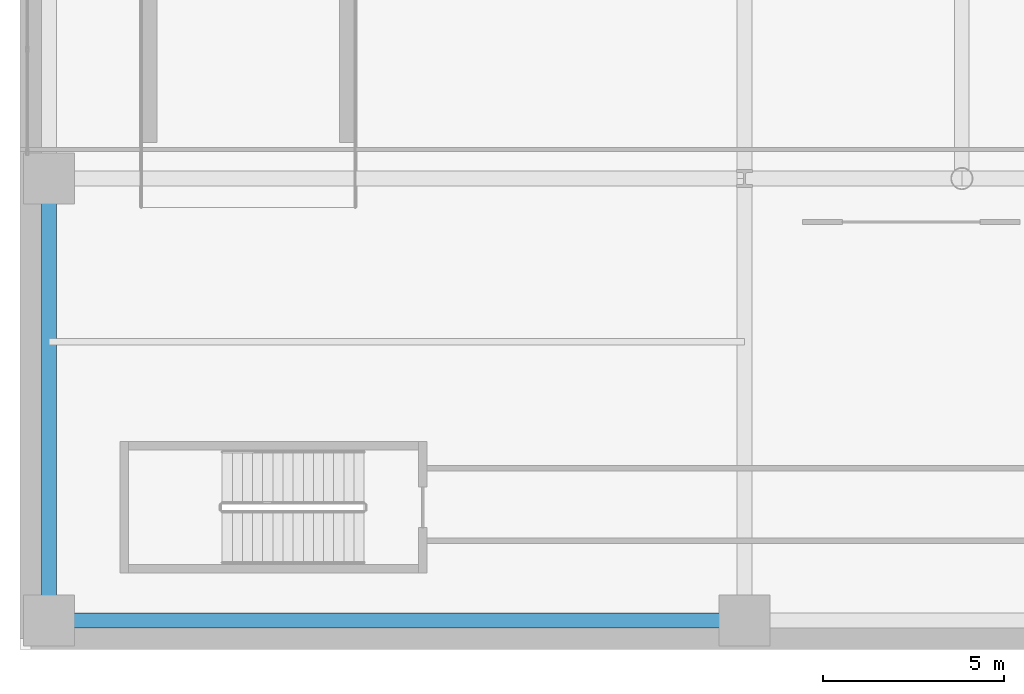
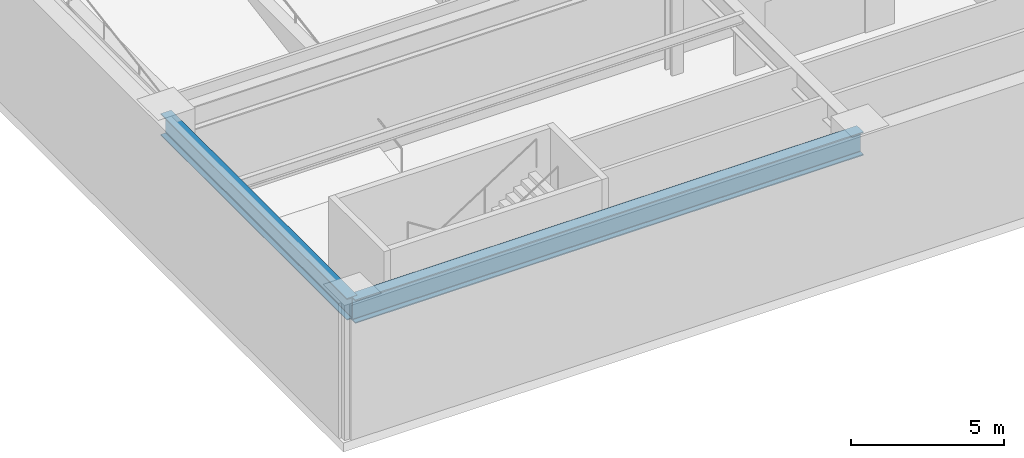
# One storey, part 4 of 25: 2 beams.
"""IFC4 building model written with IfcOpenShell, lengths in metres."""

from ifc_helpers import new_model, si_unit, direction, frame, origin, origin_2d, place, context, subcontext, project, spatial, i_section, extrude, material, material_profile, profile_set, type_object, element, save


model = new_model("IFC4")

# Units and contexts
model_context = context("Model", 3, precision=1e-05, world=origin(), true_north=direction((0.0, 1.0)))
body_context = subcontext(model_context, "Body", "Model", "MODEL_VIEW")
ifc_project = project(units=[si_unit("LENGTHUNIT", "METRE"), si_unit("AREAUNIT", "SQUARE_METRE"), si_unit("VOLUMEUNIT", "CUBIC_METRE"), si_unit("PLANEANGLEUNIT", "RADIAN"), si_unit("MASSUNIT", "GRAM", prefix="KILO")], contexts=[model_context])

# Site, building, storey
site_placement = place(None, origin())
site = spatial("IfcSite", under=ifc_project, at=site_placement, CompositionType="ELEMENT")
building_placement = place(site_placement, origin())
building = spatial("IfcBuilding", under=site, at=building_placement, Name="Soratama Intermodal Tower", CompositionType="ELEMENT")
storey_placement = place(building_placement, frame((0.0, 0.0, -5.39990234375)))
storey = spatial("IfcBuildingStorey", under=building, at=storey_placement, Name="B1", CompositionType="ELEMENT", Elevation=-5.39990234375)

# Beams
ifc_material_1 = material(Name="Structural steel ASTM A992 Grade 50", Category="steel")
ifc_material_profile_1 = material_profile(ifc_material_1, i_section(OverallWidth=0.403076171875, OverallDepth=0.867919921875, WebThickness=0.02099609375, FlangeThickness=0.03564453125, FilletRadius=0.01806640625, at=origin_2d()), Name="W33X241")
ifc_profile_set_1 = profile_set([ifc_material_profile_1], Name="Structural steel ASTM A992 Grade 50")
beam_type_1 = type_object("IfcBeamType", Name="BM-POD-EXT-W33", PredefinedType="BEAM", material=ifc_profile_set_1)
beam_1_placement = place(storey_placement, frame((0.800048828125, 2.800048828125, 4.64599609375), z_axis=(0.0, 1.0, 0.0), x_axis=(-1.0, 0.0, 0.0)))
element("IfcBeam", 1, at=beam_1_placement, inside=storey, type_object=beam_type_1, Name="B1 Station Girder Y1-1", PredefinedType="BEAM", context=body_context, shape_type="SweptSolid", body=[
    extrude(i_section(OverallWidth=0.403076171875, OverallDepth=0.867919921875, WebThickness=0.02099609375, FlangeThickness=0.03564453125, FilletRadius=0.01806640625, at=origin_2d()), origin(), (0.0, 0.0, 1.0), 12.199951171875),
])
ifc_material_2 = material(Name="Structural steel ASTM A992 Grade 50", Category="steel")
ifc_material_profile_2 = material_profile(ifc_material_2, i_section(OverallWidth=0.423095703125, OverallDepth=0.93896484375, WebThickness=0.02392578125, FlangeThickness=0.042724609375, FilletRadius=0.02392578125, at=origin_2d()), Name="W36X302")
ifc_profile_set_2 = profile_set([ifc_material_profile_2], Name="Structural steel ASTM A992 Grade 50")
beam_type_2 = type_object("IfcBeamType", Name="BM-POD-EXT-W36", PredefinedType="BEAM", material=ifc_profile_set_2)
beam_2_placement = place(storey_placement, frame((0.800048828125, 2.800048828125, 4.6103515625), z_axis=(1.0, 0.0, 0.0), x_axis=(0.0, 1.0, 0.0)))
element("IfcBeam", 2, at=beam_2_placement, inside=storey, type_object=beam_type_2, Name="B1 Station Girder X1-1", PredefinedType="BEAM", context=body_context, shape_type="SweptSolid", body=[
    extrude(i_section(OverallWidth=0.423095703125, OverallDepth=0.93896484375, WebThickness=0.02392578125, FlangeThickness=0.042724609375, FilletRadius=0.02392578125, at=origin_2d()), origin(), (0.0, 0.0, 1.0), 19.199951171875),
])

save(model, "model.ifc")
